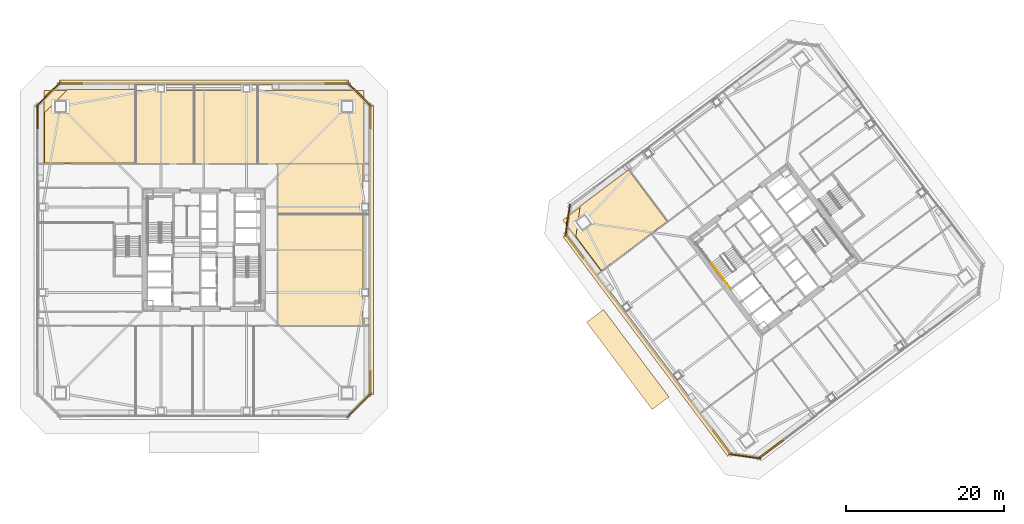
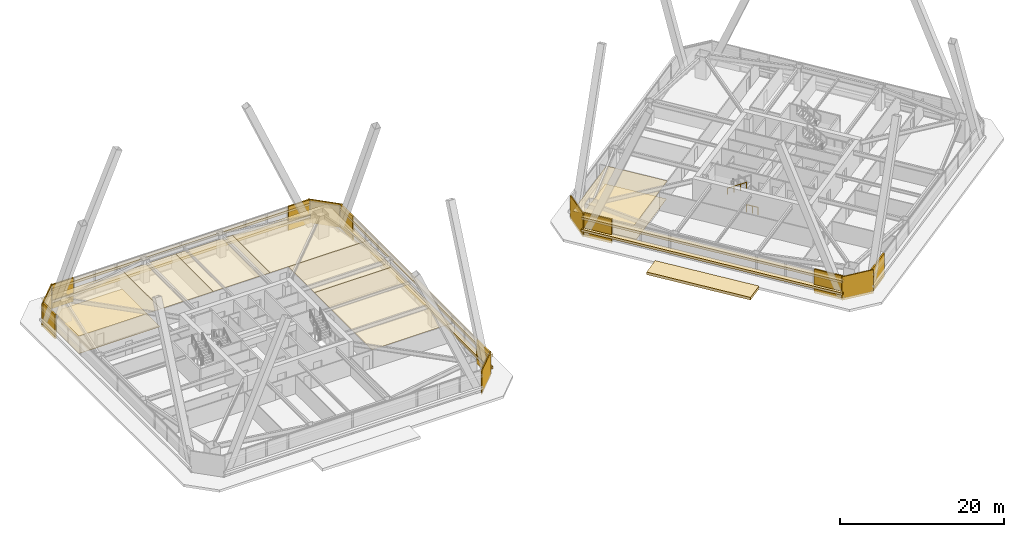
# One storey, part 63 of 67: 29 coverings, 2 railings.
"""IFC4 building model written with IfcOpenShell, lengths in metres."""

from ifc_helpers import new_model, si_unit, direction, frame, origin, origin_2d, place, context, subcontext, project, spatial, polyline, rectangle, outline, extrude, material, layer, layer_set, type_object, element, save


model = new_model("IFC4")

# Units and contexts
model_context = context("Model", 3, precision=1e-05, world=origin(), true_north=direction((0.0, 1.0)))
body_context = subcontext(model_context, "Body", "Model", "MODEL_VIEW")
ifc_project = project(units=[si_unit("LENGTHUNIT", "METRE"), si_unit("AREAUNIT", "SQUARE_METRE"), si_unit("VOLUMEUNIT", "CUBIC_METRE"), si_unit("PLANEANGLEUNIT", "RADIAN"), si_unit("MASSUNIT", "GRAM", prefix="KILO")], contexts=[model_context])

# Site, building, storey
site_placement = place(None, origin())
site = spatial("IfcSite", under=ifc_project, at=site_placement, CompositionType="ELEMENT")
building_placement = place(site_placement, origin())
building = spatial("IfcBuilding", under=site, at=building_placement, Name="Tashvorn Skyway Center", CompositionType="ELEMENT")
storey_placement = place(building_placement, frame((0.0, 0.0, 67.199951171875)))
storey = spatial("IfcBuildingStorey", under=building, at=storey_placement, Name="L17", CompositionType="ELEMENT", Elevation=67.199951171875)

# Coverings
ifc_material_1 = material(Name="Precast concrete C40/50", Category="concrete")
ifc_layer_1 = layer(ifc_material_1, 0.199951171875)
ifc_layer_set_1 = layer_set([ifc_layer_1], Name="Precast concrete C40/50")
covering_type_1 = type_object("IfcCoveringType", Name="COV-BRACE-CLAD", PredefinedType="CLADDING", material=ifc_layer_set_1)
for number, where, z_axis, x_axis, name in (
    (1, (21.02001953125, 48.6650390625, 0.0), (0.0, 0.0, 1.0), (0.0, 1.0, 0.0), "Tower 1 L17 West Unitised Curtain Wall Mega-Brace Cladding Band 2"),
    (2, (25.3349609375, 52.97998046875, 0.0), (0.0, 0.0, 1.0), (1.0, 0.0, 0.0), "Tower 1 L17 North Unitised Curtain Wall Mega-Brace Cladding Band 1"),
    (3, (58.6650390625, 52.97998046875, 0.0), (0.0, 0.0, 1.0), (1.0, 0.0, 0.0), "Tower 1 L17 North Unitised Curtain Wall Mega-Brace Cladding Band 2"),
    (4, (62.97998046875, 48.6650390625, 0.0), (0.0, 0.0, 1.0), (0.0, -1.0, 0.0), "Tower 1 L17 East Unitised Curtain Wall Mega-Brace Cladding Band 1"),
    (5, (62.97998046875, 15.3349609375, 0.0), (0.0, 0.0, 1.0), (0.0, -1.0, 0.0), "Tower 1 L17 East Unitised Curtain Wall Mega-Brace Cladding Band 2"),
):
    element("IfcCovering", number, at=place(storey_placement, frame(where, z_axis=z_axis, x_axis=x_axis)), inside=storey, type_object=covering_type_1, Name=name, PredefinedType="CLADDING", context=body_context, shape_type="SweptSolid", body=[
        extrude(rectangle(XDim=3.030029296875, YDim=0.199951171875, at=origin_2d()), origin(), (0.0, 0.0, 1.0), 3.550048828125),
    ])
for number, where, z_axis, x_axis, name in (
    (6, (113.639892578125, 6.8798828125, 0.0), (0.0, 0.0, 1.0), (-0.799999996291, -0.600000004945, 0.0), "Tower 2 L17 South Unitised Curtain Wall Mega-Brace Cladding Band 2"),
    (7, (107.31201171875, 7.783935546875, 0.0), (0.0, 0.0, 1.0), (-0.600000004945, 0.799999996291, 0.0), "Tower 2 L17 West Unitised Curtain Wall Mega-Brace Cladding Band 1"),
    (8, (88.8798828125, 32.360107421875, 0.0), (0.0, 0.0, 1.0), (-0.600000004945, 0.799999996291, 0.0), "Tower 2 L17 West Unitised Curtain Wall Mega-Brace Cladding Band 2"),
):
    element("IfcCovering", number, at=place(storey_placement, frame(where, z_axis=z_axis, x_axis=x_axis)), inside=storey, type_object=covering_type_1, Name=name, PredefinedType="CLADDING", context=body_context, shape_type="SweptSolid", body=[
        extrude(rectangle(XDim=3.840087890625, YDim=0.199951171875, at=origin_2d()), origin(), (0.0, 0.0, 1.0), 3.550048828125),
    ])
ifc_material_2 = material(Name="Mineral-fibre acoustic ceiling tile on suspended grid")
ifc_layer_2 = layer(ifc_material_2, 0.02001953125)
ifc_layer_set_2 = layer_set([ifc_layer_2], Name="Mineral-fibre acoustic ceiling tile on suspended grid")
covering_type_2 = type_object("IfcCoveringType", Name="COV-CEIL-20", PredefinedType="CEILING", material=ifc_layer_set_2)
covering_1_placement = place(storey_placement, frame((0.0, 0.0, 2.68310546875)))
element("IfcCovering", 9, at=covering_1_placement, inside=storey, type_object=covering_type_2, Name="Tower 1 L17 Conference Room Acoustic Ceiling", PredefinedType="CEILING", context=body_context, shape_type="SweptSolid", body=[
    extrude(outline(polyline([(21.800048828125, 42.85009765625), (33.39990234375, 42.85009765625), (33.39990234375, 52.10009765625), (21.800048828125, 52.10009765625), (21.800048828125, 42.85009765625)])), origin(), (0.0, 0.0, 1.0), 0.02001953125),
])
covering_2_placement = place(storey_placement, frame((0.0, 0.0, 2.68310546875)))
element("IfcCovering", 10, at=covering_2_placement, inside=storey, type_object=covering_type_2, Name="Tower 1 L17 Conference Room Acoustic Ceiling", PredefinedType="CEILING", context=body_context, shape_type="SweptSolid", body=[
    extrude(outline(polyline([(33.39990234375, 42.85009765625), (40.800048828125, 42.85009765625), (40.800048828125, 52.10009765625), (33.39990234375, 52.10009765625), (33.39990234375, 42.85009765625)])), origin(), (0.0, 0.0, 1.0), 0.02001953125),
])
covering_3_placement = place(storey_placement, frame((0.0, 0.0, 2.68310546875)))
element("IfcCovering", 11, at=covering_3_placement, inside=storey, type_object=covering_type_2, Name="Tower 1 L17 Boardroom Acoustic Ceiling", PredefinedType="CEILING", context=body_context, shape_type="SweptSolid", body=[
    extrude(outline(polyline([(40.800048828125, 42.85009765625), (48.800048828125, 42.85009765625), (48.800048828125, 52.10009765625), (40.800048828125, 52.10009765625), (40.800048828125, 42.85009765625)])), origin(), (0.0, 0.0, 1.0), 0.02001953125),
])
covering_4_placement = place(storey_placement, frame((0.0, 0.0, 2.68310546875)))
element("IfcCovering", 12, at=covering_4_placement, inside=storey, type_object=covering_type_2, Name="Tower 1 L17 Gallery Showroom Acoustic Ceiling", PredefinedType="CEILING", context=body_context, shape_type="SweptSolid", body=[
    extrude(outline(polyline([(48.800048828125, 42.85009765625), (62.199951171875, 42.85009765625), (62.199951171875, 52.10009765625), (48.800048828125, 52.10009765625), (48.800048828125, 42.85009765625)])), origin(), (0.0, 0.0, 1.0), 0.02001953125),
])
covering_5_placement = place(storey_placement, frame((0.0, 0.0, 2.68310546875)))
element("IfcCovering", 13, at=covering_5_placement, inside=storey, type_object=covering_type_2, Name="Tower 1 L17 Gallery Showroom Acoustic Ceiling", PredefinedType="CEILING", context=body_context, shape_type="SweptSolid", body=[
    extrude(outline(polyline([(51.35009765625, 22.429931640625), (62.10009765625, 22.429931640625), (62.10009765625, 36.5), (51.35009765625, 36.5), (51.35009765625, 22.429931640625)])), origin(), (0.0, 0.0, 1.0), 0.02001953125),
])
covering_6_placement = place(storey_placement, frame((0.0, 0.0, 2.68310546875)))
element("IfcCovering", 14, at=covering_6_placement, inside=storey, type_object=covering_type_2, Name="Tower 1 L17 Public Restroom Acoustic Ceiling", PredefinedType="CEILING", context=body_context, shape_type="SweptSolid", body=[
    extrude(outline(polyline([(51.35009765625, 36.5), (62.10009765625, 36.5), (62.10009765625, 42.85009765625), (51.35009765625, 42.85009765625), (51.35009765625, 36.5)])), origin(), (0.0, 0.0, 1.0), 0.02001953125),
])
covering_7_placement = place(storey_placement, frame((0.0, 0.0, 2.68310546875)))
element("IfcCovering", 15, at=covering_7_placement, inside=storey, type_object=covering_type_2, Name="Tower 2 L17 Conference Room Acoustic Ceiling", PredefinedType="CEILING", context=body_context, shape_type="SweptSolid", body=[
    extrude(outline(polyline([(92.179931640625, 29.260009765625), (100.580078125, 35.56005859375), (95.719970703125, 42.0400390625), (87.320068359375, 35.739990234375), (92.179931640625, 29.260009765625)])), origin(), (0.0, 0.0, 1.0), 0.02001953125),
])
ifc_material_3 = material(Name="Polished Mojave desert-aggregate terrazzo and cover plate")
ifc_layer_3 = layer(ifc_material_3, 0.0400390625)
ifc_layer_set_3 = layer_set([ifc_layer_3], Name="Polished Mojave desert-aggregate terrazzo and cover plate")
covering_type_3 = type_object("IfcCoveringType", Name="COV-FLR-40", PredefinedType="FLOORING", material=ifc_layer_set_3)
covering_8_placement = place(storey_placement, origin())
element("IfcCovering", 16, at=covering_8_placement, inside=storey, type_object=covering_type_3, Name="Tower 1 L17 Conference Room Finish Flooring", PredefinedType="FLOORING", context=body_context, shape_type="SweptSolid", body=[
    extrude(outline(polyline([(33.320068359375, 42.929931640625), (21.8798828125, 42.929931640625), (21.8798828125, 49.280029296875), (24.800048828125, 52.199951171875), (33.320068359375, 52.199951171875), (33.320068359375, 42.929931640625)])), origin(), (0.0, 0.0, 1.0), 0.0400390625),
])
covering_9_placement = place(storey_placement, origin())
element("IfcCovering", 17, at=covering_9_placement, inside=storey, type_object=covering_type_3, Name="Tower 2 L17 Conference Room Finish Flooring", PredefinedType="FLOORING", context=body_context, shape_type="SweptSolid", body=[
    extrude(outline(polyline([(100.468017578125, 35.575927734375), (92.196044921875, 29.3720703125), (88.9560546875, 33.69189453125), (89.5, 37.5), (95.595947265625, 42.072021484375), (100.468017578125, 35.575927734375)])), origin(), (0.0, 0.0, 1.0), 0.0400390625),
])
ifc_material_4 = material(Name="Perforated ceramic-coated bronze aluminium solar screen", Category="aluminium")
ifc_layer_4 = layer(ifc_material_4, 0.85009765625)
ifc_layer_set_4 = layer_set([ifc_layer_4], Name="Perforated ceramic-coated bronze aluminium solar screen")
covering_type_4 = type_object("IfcCoveringType", Name="COV-SOLAR-BAND", PredefinedType="CLADDING", material=ifc_layer_set_4)
for number, where, z_axis, x_axis, name in (
    (18, (42.0, 53.1201171875, 0.919921875), (0.0, 0.0, 1.0), (1.0, 0.0, 0.0), "L17 Perforated Ceramic-Metal Solar Screen Louvre Band North 1"),
    (19, (42.0, 53.1201171875, 2.72021484375), (0.0, 0.0, 1.0), (1.0, 0.0, 0.0), "L17 Perforated Ceramic-Metal Solar Screen Louvre Band North 2"),
    (20, (63.1201171875, 32.0, 0.919921875), (0.0, 0.0, 1.0), (0.0, -1.0, 0.0), "L17 Perforated Ceramic-Metal Solar Screen Louvre Band East 1"),
    (21, (63.1201171875, 32.0, 2.72021484375), (0.0, 0.0, 1.0), (0.0, -1.0, 0.0), "L17 Perforated Ceramic-Metal Solar Screen Louvre Band East 2"),
):
    element("IfcCovering", number, at=place(storey_placement, frame(where, z_axis=z_axis, x_axis=x_axis)), inside=storey, type_object=covering_type_4, Name=name, PredefinedType="CLADDING", context=body_context, shape_type="SweptSolid", body=[
        extrude(rectangle(XDim=36.47998046875, YDim=0.639892578125, at=origin_2d()), origin(), (0.0, 0.0, 1.0), 0.360107421875),
    ])
for number, where, z_axis, x_axis, name in (
    (22, (97.98388671875, 19.988037109375, 0.919921875), (0.0, 0.0, 1.0), (-0.600000004945, 0.799999996291, 0.0), "L17 Perforated Ceramic-Metal Solar Screen Louvre Band West 1"),
    (23, (97.98388671875, 19.988037109375, 2.72021484375), (0.0, 0.0, 1.0), (-0.600000004945, 0.799999996291, 0.0), "L17 Perforated Ceramic-Metal Solar Screen Louvre Band West 2"),
):
    element("IfcCovering", number, at=place(storey_placement, frame(where, z_axis=z_axis, x_axis=x_axis)), inside=storey, type_object=covering_type_4, Name=name, PredefinedType="CLADDING", context=body_context, shape_type="SweptSolid", body=[
        extrude(rectangle(XDim=34.679931640625, YDim=0.639892578125, at=origin_2d()), origin(), (0.0, 0.0, 1.0), 0.360107421875),
    ])
ifc_layer_5 = layer(ifc_material_1, 0.35009765625)
ifc_layer_set_5 = layer_set([ifc_layer_5], Name="Precast concrete C40/50")
covering_type_5 = type_object("IfcCoveringType", Name="COV-STONE-TRIM", PredefinedType="CLADDING", material=ifc_layer_set_5)
covering_10_placement = place(storey_placement, frame((95.52001953125, 18.139892578125, 0.0), z_axis=(0.0, 0.0, 1.0), x_axis=(-0.600000004945, 0.799999996291, 0.0)))
element("IfcCovering", 24, at=covering_10_placement, inside=storey, type_object=covering_type_5, Name="Tower 2 L16 Sky Garden Terracotta Canopy Hood", PredefinedType="CLADDING", context=body_context, shape_type="SweptSolid", body=[
    extrude(rectangle(XDim=13.800048828125, YDim=2.64990234375, at=origin_2d()), origin(), (0.0, 0.0, 1.0), 0.39990234375),
])
for number, where, z_axis, x_axis, name in (
    (25, (22.3798828125, 51.6201171875, 0.02001953125), (0.0, 0.0, 1.0), (-0.707106781187, -0.707106781187, 0.0), "Tower 1 L17 NW Mojave Limestone Corner Quoin"),
    (26, (61.6201171875, 51.6201171875, 0.02001953125), (0.0, 0.0, 1.0), (0.707106781187, -0.707106781187, 0.0), "Tower 1 L17 NE Mojave Limestone Corner Quoin"),
    (27, (61.6201171875, 12.3798828125, 0.02001953125), (0.0, 0.0, 1.0), (0.707106781187, 0.707106781187, 0.0), "Tower 1 L17 SE Mojave Limestone Corner Quoin"),
):
    element("IfcCovering", number, at=place(storey_placement, frame(where, z_axis=z_axis, x_axis=x_axis)), inside=storey, type_object=covering_type_5, Name=name, PredefinedType="CLADDING", context=body_context, shape_type="SweptSolid", body=[
        extrude(rectangle(XDim=4.402587890625, YDim=0.139892578125, at=origin_2d()), origin(), (0.0, 0.0, 1.0), 3.510009765625),
    ])
for number, where, z_axis, x_axis, name in (
    (28, (110.27587890625, 5.931884765625, 0.02001953125), (0.0, 0.0, 1.0), (-0.989949494535, 0.141421350118, 0.0), "Tower 2 L17 SW Mojave Limestone Corner Quoin"),
    (29, (87.931884765625, 35.72412109375, 0.02001953125), (0.0, 0.0, 1.0), (-0.141421350118, -0.989949494535, 0.0), "Tower 2 L17 NW Mojave Limestone Corner Quoin"),
):
    element("IfcCovering", number, at=place(storey_placement, frame(where, z_axis=z_axis, x_axis=x_axis)), inside=storey, type_object=covering_type_5, Name=name, PredefinedType="CLADDING", context=body_context, shape_type="SweptSolid", body=[
        extrude(rectangle(XDim=4.119873046875, YDim=0.139892578125, at=origin_2d()), origin(), (0.0, 0.0, 1.0), 3.510009765625),
    ])

# Railings
ifc_material_5 = material(Name="Brushed stainless steel 316", Category="steel")
railing_type_1 = type_object("IfcRailingType", Name="RAIL-HAND-920", PredefinedType="HANDRAIL", material=ifc_material_5)
railing_1_placement = place(storey_placement, frame((106.072021484375, 30.35400390625, 1.95263671875)))
element("IfcRailing", 30, at=railing_1_placement, inside=storey, type_object=railing_type_1, Name="L17 ST-T2-1 stair handrail 2", PredefinedType="HANDRAIL", context=body_context, shape_type="SweptSolid", body=[
    extrude(rectangle(XDim=0.048095703125, YDim=0.048095703125, at=origin_2d()), frame((0.0, 0.0, 0.8759765625), z_axis=(0.506740800098, -0.675708949977, 0.535379469569), x_axis=(0.800023250257, 0.599968998406, 0.0)), (0.0, 0.0, 1.0), 2.983642578125),
    extrude(rectangle(XDim=0.0419921875, YDim=0.0419921875, at=origin_2d()), origin(), (0.0, 0.0, 1.0), 0.851806640625),
    extrude(rectangle(XDim=0.0419921875, YDim=0.0419921875, at=origin_2d()), frame((0.50390625, -0.672119140625, 0.532470703125)), (0.0, 0.0, 1.0), 0.851806640625),
    extrude(rectangle(XDim=0.0419921875, YDim=0.0419921875, at=origin_2d()), frame((1.008056640625, -1.343994140625, 1.06494140625)), (0.0, 0.0, 1.0), 0.851806640625),
    extrude(rectangle(XDim=0.0419921875, YDim=0.0419921875, at=origin_2d()), frame((1.511962890625, -2.01611328125, 1.597412109375)), (0.0, 0.0, 1.0), 0.851806640625),
])
ifc_material_6 = material(Name="Painted galvanized steel S355", Category="steel")
railing_type_2 = type_object("IfcRailingType", Name="RAIL-STGUARD-1100", PredefinedType="GUARDRAIL", material=ifc_material_6)
railing_2_placement = place(storey_placement, frame((108.49609375, 27.1220703125, 0.0)))
element("IfcRailing", 31, at=railing_2_placement, inside=storey, type_object=railing_type_2, Name="L17 ST-T2-1 stair guard 6", PredefinedType="GUARDRAIL", context=body_context, shape_type="SweptSolid", body=[
    extrude(rectangle(XDim=0.048095703125, YDim=0.048095703125, at=origin_2d()), frame((0.0, 0.0, 1.076171875), z_axis=(-0.600102796382, 0.799922892393, 0.0), x_axis=(-0.799922892393, -0.600102796382, 0.0)), (0.0, 0.0, 1.0), 1.52001953125),
    extrude(rectangle(XDim=0.0419921875, YDim=0.0419921875, at=origin_2d()), origin(), (0.0, 0.0, 1.0), 1.052001953125),
    extrude(rectangle(XDim=0.0419921875, YDim=0.0419921875, at=origin_2d()), frame((-0.4560546875, 0.60791015625, 0.0)), (0.0, 0.0, 1.0), 1.052001953125),
    extrude(rectangle(XDim=0.0419921875, YDim=0.0419921875, at=origin_2d()), frame((-0.912109375, 1.2158203125, 0.0)), (0.0, 0.0, 1.0), 1.052001953125),
])

save(model, "model.ifc")
